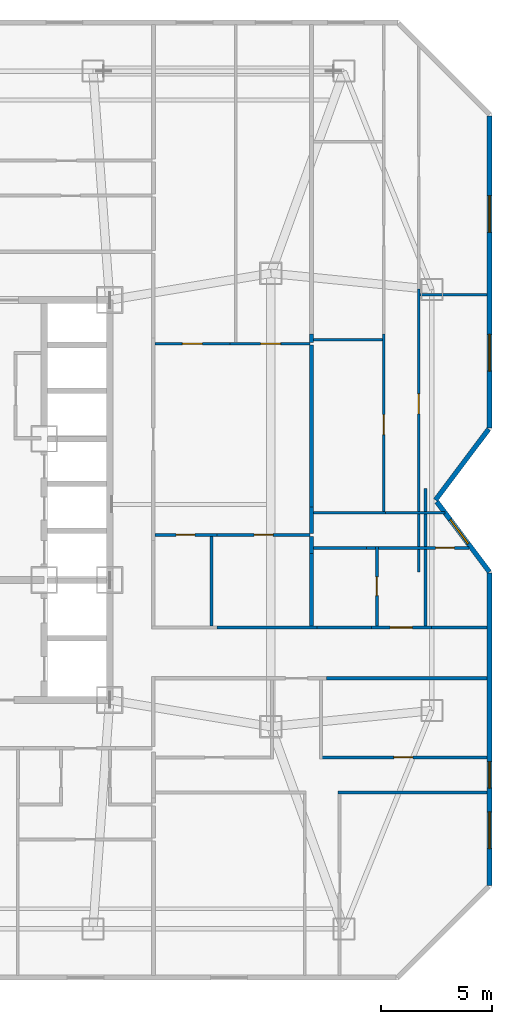
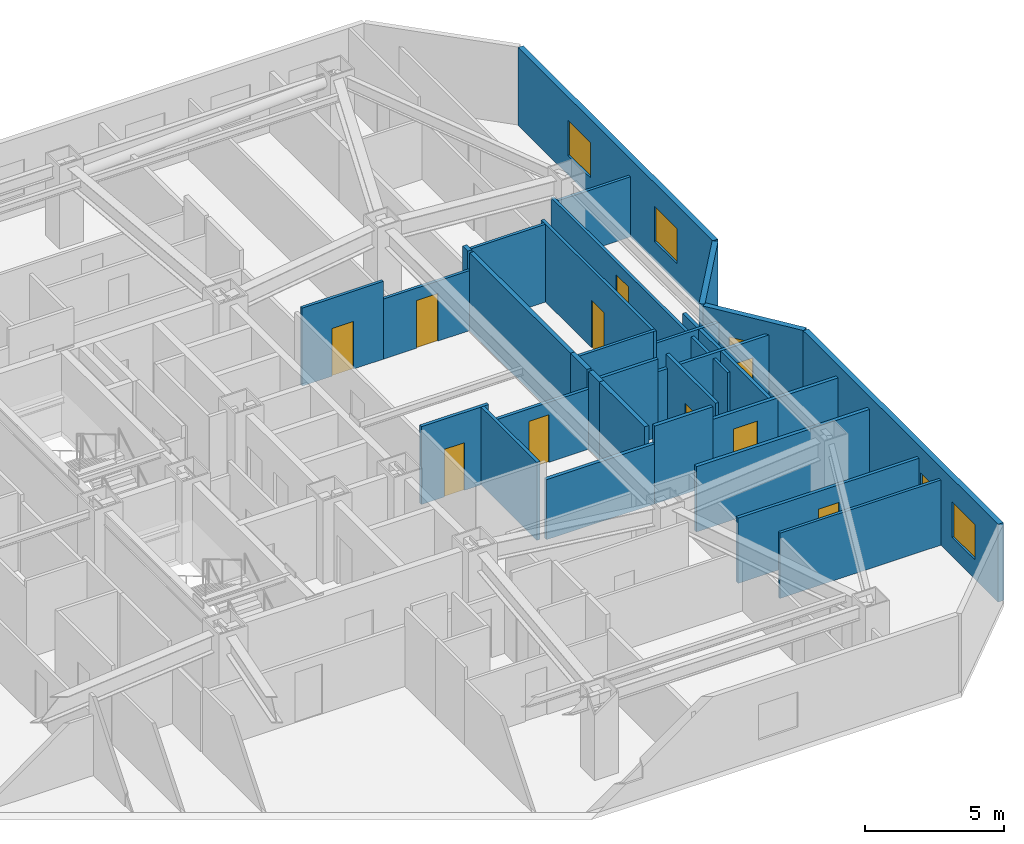
# One storey, part 9 of 12: 31 walls, 10 doors, 5 windows, 15 openings.
"""IFC4 building model written with IfcOpenShell, lengths in metres."""

from ifc_helpers import new_model, si_unit, direction, frame, frame_2d, origin, place, context, subcontext, project, spatial, rectangle, extrude, material, layer, layer_set, type_object, element, fill, save


model = new_model("IFC4")

# Units and contexts
model_context = context("Model", 3, precision=1e-05, world=origin(), true_north=direction((0.0, 1.0)))
body_context = subcontext(model_context, "Body", "Model", "MODEL_VIEW")
ifc_project = project(units=[si_unit("LENGTHUNIT", "METRE"), si_unit("AREAUNIT", "SQUARE_METRE"), si_unit("VOLUMEUNIT", "CUBIC_METRE"), si_unit("PLANEANGLEUNIT", "RADIAN"), si_unit("MASSUNIT", "GRAM", prefix="KILO")], contexts=[model_context])

# Site, building, storey
site_placement = place(None, origin())
site = spatial("IfcSite", under=ifc_project, at=site_placement, CompositionType="ELEMENT")
building_placement = place(site_placement, origin())
building = spatial("IfcBuilding", under=site, at=building_placement, Name="Khamvora Tower", CompositionType="ELEMENT")
storey_placement = place(building_placement, frame((0.0, 0.0, 127.449951171875)))
storey = spatial("IfcBuildingStorey", under=building, at=storey_placement, Name="L32", CompositionType="ELEMENT", Elevation=127.449951171875)

# Walls
ifc_material_1 = material(Name="Fire-Rated Drywall and Steel Stud", Category="steel")
ifc_layer_1 = layer(ifc_material_1, 0.14990234375)
ifc_layer_set_1 = layer_set([ifc_layer_1], Name="Fire-Rated Drywall and Steel Stud")
wall_type_1 = type_object("IfcWallType", Name="WAL-CORR-150", PredefinedType="STANDARD", material=ifc_layer_set_1)
wall_1_placement = place(storey_placement, frame((56.387939453125, 19.985107421875, 0.0), z_axis=(0.0, 0.0, 1.0), x_axis=(-1.0, 0.0, 0.0)))
element("IfcWall", 1, at=wall_1_placement, inside=storey, type_object=wall_type_1, Name="L32 interior partition wall 036", PredefinedType="STANDARD", context=body_context, shape_type="SweptSolid", body=[
    extrude(rectangle(XDim=7.22900390625, YDim=0.14990234375, at=frame_2d((3.614501953125, 0.0))), origin(), (0.0, 0.0, 1.0), 2.8759765625),
])
wall_2_placement = place(storey_placement, frame((44.22900390625, 22.264892578125, 0.0), z_axis=(0.0, 0.0, 1.0), x_axis=(1.0, 0.0, 0.0)))
element("IfcWall", 2, at=wall_2_placement, inside=storey, type_object=wall_type_1, Name="L32 interior partition wall 040", PredefinedType="STANDARD", context=body_context, shape_type="SweptSolid", body=[
    extrude(rectangle(XDim=4.510009765625, YDim=0.14990234375, at=frame_2d((2.2548828125, 0.0))), origin(), (0.0, 0.0, 1.0), 2.64697265625),
])

# Wall, opening, door
wall_3_placement = place(storey_placement, frame((51.173095703125, 22.264892578125, 0.0), z_axis=(0.0, 0.0, 1.0), x_axis=(1.0, 0.0, 0.0)))
wall_3 = element("IfcWall", 3, at=wall_3_placement, inside=storey, type_object=wall_type_1, Name="L32 interior partition wall 042", PredefinedType="STANDARD", context=body_context, shape_type="SweptSolid", body=[
    extrude(rectangle(XDim=2.698974609375, YDim=0.14990234375, at=frame_2d((1.349609375, 0.0))), origin(), (0.0, 0.0, 1.0), 2.8759765625),
])
opening_1_placement = place(wall_3_placement, frame((0.84912109375, 0.0, 0.0)))
opening_1 = element("IfcOpeningElement", 4, at=opening_1_placement, cuts=wall_3, Name="Opening D-U1", PredefinedType="OPENING", context=body_context, shape_type="SweptSolid", body=[
    extrude(rectangle(XDim=1.0, YDim=2.14990234375, at=frame_2d((0.5, 1.074951171875))), frame((0.0, 0.0849609375, 0.0), z_axis=(0.0, -1.0, 0.0), x_axis=(1.0, 0.0, 0.0)), (0.0, 0.0, 1.0), 0.169921875),
])
ifc_material_2 = material(Name="Powder-Coated Steel and Hardwood Leaf", Category="steel")
door_type_1 = type_object("IfcDoorType", Name="DOR-UNIT-1000", OperationType="NOTDEFINED", PredefinedType="DOOR", material=ifc_material_2)
door_1_placement = place(opening_1_placement, origin())
door_1 = element("IfcDoor", 5, at=door_1_placement, inside=storey, type_object=door_type_1, Name="L32 interior door COR-32ECH", OperationType="SINGLE_SWING_RIGHT", OverallHeight=2.14990234375, OverallWidth=1.0, PredefinedType="DOOR", context=body_context, shape_type="SweptSolid", body=[
    extrude(rectangle(XDim=1.0, YDim=2.14990234375, at=frame_2d((0.5, 1.074951171875))), frame((0.0, 0.02490234375, 0.0), z_axis=(0.0, -1.0, 0.0), x_axis=(1.0, 0.0, 0.0)), (0.0, 0.0, 1.0), 0.050048828125),
])
fill(opening_1, door_1)

# Walls
wall_4_placement = place(storey_placement, frame((53.8720703125, 22.264892578125, 0.0), z_axis=(0.0, 0.0, 1.0), x_axis=(1.0, 0.0, 0.0)))
element("IfcWall", 6, at=wall_4_placement, inside=storey, type_object=wall_type_1, Name="L32 interior partition wall 043", PredefinedType="STANDARD", context=body_context, shape_type="SweptSolid", body=[
    extrude(rectangle(XDim=2.515869140625, YDim=0.14990234375, at=frame_2d((1.2578125, 0.0))), origin(), (0.0, 0.0, 1.0), 2.8759765625),
])
wall_5_placement = place(storey_placement, frame((48.739013671875, 22.264892578125, 0.0), z_axis=(0.0, 0.0, 1.0), x_axis=(1.0, 0.0, 0.0)))
element("IfcWall", 7, at=wall_5_placement, inside=storey, type_object=wall_type_1, Name="L32 interior partition wall 044", PredefinedType="STANDARD", context=body_context, shape_type="SweptSolid", body=[
    extrude(rectangle(XDim=2.43408203125, YDim=0.14990234375, at=frame_2d((1.217041015625, 0.0))), origin(), (0.0, 0.0, 1.0), 3.429931640625),
])
ifc_material_3 = material(Name="Acoustic Double-Stud Fire Wall", Category="gypsum")
ifc_layer_2 = layer(ifc_material_3, 0.179931640625)
ifc_layer_set_2 = layer_set([ifc_layer_2], Name="Acoustic Double-Stud Fire Wall")
wall_type_2 = type_object("IfcWallType", Name="WAL-CORR-180", PredefinedType="STANDARD", material=ifc_layer_set_2)
wall_6_placement = place(storey_placement, frame((48.489990234375, 27.674072265625, 0.0), z_axis=(0.0, 0.0, 1.0), x_axis=(0.0, -1.0, 0.0)))
element("IfcWall", 8, at=wall_6_placement, inside=storey, type_object=wall_type_2, Name="L32 interior partition wall 143", PredefinedType="STANDARD", context=body_context, shape_type="SweptSolid", body=[
    extrude(rectangle(XDim=1.178955078125, YDim=0.179931640625, at=frame_2d((0.58935546875, 0.0))), origin(), (0.0, 0.0, 1.0), 3.429931640625),
])
wall_7_placement = place(storey_placement, frame((48.489990234375, 34.965087890625, 0.0), z_axis=(0.0, 0.0, 1.0), x_axis=(0.0, -1.0, 0.0)))
element("IfcWall", 9, at=wall_7_placement, inside=storey, type_object=wall_type_2, Name="L32 interior partition wall 144", PredefinedType="STANDARD", context=body_context, shape_type="SweptSolid", body=[
    extrude(rectangle(XDim=7.291015625, YDim=0.179931640625, at=frame_2d((3.6455078125, 0.0))), origin(), (0.0, 0.0, 1.0), 3.429931640625),
])
wall_8_placement = place(storey_placement, frame((48.489990234375, 35.466064453125, 0.0), z_axis=(0.0, 0.0, 1.0), x_axis=(0.0, -1.0, 0.0)))
element("IfcWall", 10, at=wall_8_placement, inside=storey, type_object=wall_type_2, Name="L32 interior partition wall 146", PredefinedType="STANDARD", context=body_context, shape_type="SweptSolid", body=[
    extrude(rectangle(XDim=0.37109375, YDim=0.179931640625, at=frame_2d((0.185546875, 0.0))), origin(), (0.0, 0.0, 1.0), 3.429931640625),
])
wall_9_placement = place(storey_placement, frame((48.489990234375, 26.364990234375, 0.0), z_axis=(0.0, 0.0, 1.0), x_axis=(0.0, -1.0, 0.0)))
element("IfcWall", 11, at=wall_9_placement, inside=storey, type_object=wall_type_2, Name="L32 interior partition wall 150", PredefinedType="STANDARD", context=body_context, shape_type="SweptSolid", body=[
    extrude(rectangle(XDim=0.76904296875, YDim=0.179931640625, at=frame_2d((0.384521484375, 0.0))), origin(), (0.0, 0.0, 1.0), 3.429931640625),
])
wall_10_placement = place(storey_placement, frame((48.489990234375, 25.595947265625, 0.0), z_axis=(0.0, 0.0, 1.0), x_axis=(0.0, -1.0, 0.0)))
element("IfcWall", 12, at=wall_10_placement, inside=storey, type_object=wall_type_2, Name="L32 interior partition wall 151", PredefinedType="STANDARD", context=body_context, shape_type="SweptSolid", body=[
    extrude(rectangle(XDim=3.263916015625, YDim=0.179931640625, at=frame_2d((1.6318359375, 0.0))), origin(), (0.0, 0.0, 1.0), 3.429931640625),
])

# Wall, openings, windows
ifc_material_4 = material(Name="Precast concrete C40/50", Category="concrete")
ifc_layer_3 = layer(ifc_material_4, 0.219970703125)
ifc_layer_set_3 = layer_set([ifc_layer_3], Name="Precast concrete C40/50")
wall_type_3 = type_object("IfcWallType", Name="WAL-EXT-220", PredefinedType="STANDARD", material=ifc_layer_set_3)
wall_11_placement = place(storey_placement, frame((56.489990234375, 45.282958984375, 0.0), z_axis=(0.0, 0.0, 1.0), x_axis=(0.0, -1.0, 0.0)))
wall_11 = element("IfcWall", 13, at=wall_11_placement, inside=storey, type_object=wall_type_3, Name="L32 exterior facade wall 09.1", PredefinedType="STANDARD", context=body_context, shape_type="SweptSolid", body=[
    extrude(rectangle(XDim=14.0458984375, YDim=0.219970703125, at=frame_2d((7.02294921875, 0.0))), origin(), (0.0, 0.0, 1.0), 3.429931640625),
])
opening_2_placement = place(wall_11_placement, frame((9.8291015625, 0.0, 0.85009765625)))
opening_2 = element("IfcOpeningElement", 14, at=opening_2_placement, cuts=wall_11, Name="Opening WN-06", PredefinedType="OPENING", context=body_context, shape_type="SweptSolid", body=[
    extrude(rectangle(XDim=1.64990234375, YDim=1.550048828125, at=frame_2d((0.824951171875, 0.77490234375))), frame((0.0, 0.119873046875, 0.0), z_axis=(0.0, -1.0, 0.0), x_axis=(1.0, 0.0, 0.0)), (0.0, 0.0, 1.0), 0.239990234375),
])
opening_3_placement = place(wall_11_placement, frame((3.591064453125, 0.0, 0.85009765625)))
opening_3 = element("IfcOpeningElement", 15, at=opening_3_placement, cuts=wall_11, Name="Opening WN-06", PredefinedType="OPENING", context=body_context, shape_type="SweptSolid", body=[
    extrude(rectangle(XDim=1.64990234375, YDim=1.550048828125, at=frame_2d((0.824951171875, 0.77490234375))), frame((0.0, 0.119873046875, 0.0), z_axis=(0.0, -1.0, 0.0), x_axis=(1.0, 0.0, 0.0)), (0.0, 0.0, 1.0), 0.239990234375),
])
ifc_material_5 = material(Name="Low-E Laminated Double Glazing", Category="glass")
window_type_1 = type_object("IfcWindowType", Name="WIN-VIS-1650x1550", PartitioningType="SINGLE_PANEL", PredefinedType="WINDOW", material=ifc_material_5)
window_1_placement = place(opening_2_placement, origin())
window_1 = element("IfcWindow", 16, at=window_1_placement, inside=storey, type_object=window_type_1, Name="L32 vision window 09.1.01", OverallHeight=1.550048828125, OverallWidth=1.64990234375, PartitioningType="SINGLE_PANEL", PredefinedType="WINDOW", context=body_context, shape_type="SweptSolid", body=[
    extrude(rectangle(XDim=1.64990234375, YDim=1.550048828125, at=frame_2d((0.824951171875, 0.77490234375))), frame((0.0, 0.030029296875, 0.0), z_axis=(0.0, -1.0, 0.0), x_axis=(1.0, 0.0, 0.0)), (0.0, 0.0, 1.0), 0.06005859375),
])
fill(opening_2, window_1)
window_2_placement = place(opening_3_placement, origin())
window_2 = element("IfcWindow", 17, at=window_2_placement, inside=storey, type_object=window_type_1, Name="L32 vision window 09.1.02", OverallHeight=1.550048828125, OverallWidth=1.64990234375, PartitioningType="SINGLE_PANEL", PredefinedType="WINDOW", context=body_context, shape_type="SweptSolid", body=[
    extrude(rectangle(XDim=1.64990234375, YDim=1.550048828125, at=frame_2d((0.824951171875, 0.77490234375))), frame((0.0, 0.030029296875, 0.0), z_axis=(0.0, -1.0, 0.0), x_axis=(1.0, 0.0, 0.0)), (0.0, 0.0, 1.0), 0.06005859375),
])
fill(opening_3, window_2)

# Wall
wall_12_placement = place(storey_placement, frame((56.4560546875, 31.19091796875, 0.0), z_axis=(0.0, 0.0, 1.0), x_axis=(-0.600137081448, -0.799897170561, 0.0)))
element("IfcWall", 18, at=wall_12_placement, inside=storey, type_object=wall_type_3, Name="L32 exterior facade wall 10.1", PredefinedType="STANDARD", context=body_context, shape_type="SweptSolid", body=[
    extrude(rectangle(XDim=3.9892578125, YDim=0.219970703125, at=frame_2d((1.99462890625, 0.0))), origin(), (0.0, 0.0, 1.0), 3.429931640625),
])

# Wall, opening, window
wall_13_placement = place(storey_placement, frame((54.118896484375, 27.924072265625, 0.0), z_axis=(0.0, 0.0, 1.0), x_axis=(0.600039540588, -0.799970343032, 0.0)))
wall_13 = element("IfcWall", 19, at=wall_13_placement, inside=storey, type_object=wall_type_3, Name="L32 exterior facade wall 11.1", PredefinedType="STANDARD", context=body_context, shape_type="SweptSolid", body=[
    extrude(rectangle(XDim=3.95166015625, YDim=0.219970703125, at=frame_2d((1.975830078125, 0.0))), origin(), (0.0, 0.0, 1.0), 3.429931640625),
])
opening_4_placement = place(wall_13_placement, frame((1.008056640625, 0.0, 0.85009765625)))
opening_4 = element("IfcOpeningElement", 20, at=opening_4_placement, cuts=wall_13, Name="Opening WN-07", PredefinedType="OPENING", context=body_context, shape_type="SweptSolid", body=[
    extrude(rectangle(XDim=1.35009765625, YDim=1.5, at=frame_2d((0.675048828125, 0.75))), frame((0.0, 0.119873046875, 0.0), z_axis=(0.0, -1.0, 0.0), x_axis=(1.0, 0.0, 0.0)), (0.0, 0.0, 1.0), 0.239990234375),
])
window_type_2 = type_object("IfcWindowType", Name="WIN-VIS-1350x1500", PartitioningType="SINGLE_PANEL", PredefinedType="WINDOW", material=ifc_material_5)
window_3_placement = place(opening_4_placement, origin())
window_3 = element("IfcWindow", 21, at=window_3_placement, inside=storey, type_object=window_type_2, Name="L32 vision window 11.1.01", OverallHeight=1.5, OverallWidth=1.35009765625, PartitioningType="SINGLE_PANEL", PredefinedType="WINDOW", context=body_context, shape_type="SweptSolid", body=[
    extrude(rectangle(XDim=1.35009765625, YDim=1.5, at=frame_2d((0.675048828125, 0.75))), frame((0.0, 0.030029296875, 0.0), z_axis=(0.0, -1.0, 0.0), x_axis=(1.0, 0.0, 0.0)), (0.0, 0.0, 1.0), 0.06005859375),
])
fill(opening_4, window_3)

# Wall, openings, windows
wall_14_placement = place(storey_placement, frame((56.489990234375, 24.70703125, 0.0), z_axis=(0.0, 0.0, 1.0), x_axis=(0.0, -1.0, 0.0)))
wall_14 = element("IfcWall", 22, at=wall_14_placement, inside=storey, type_object=wall_type_3, Name="L32 exterior facade wall 12.1", PredefinedType="STANDARD", context=body_context, shape_type="SweptSolid", body=[
    extrude(rectangle(XDim=14.06103515625, YDim=0.219970703125, at=frame_2d((7.030517578125, 0.0))), origin(), (0.0, 0.0, 1.0), 3.429931640625),
])
opening_5_placement = place(wall_14_placement, frame((8.47607421875, 0.0, 0.800048828125)))
opening_5 = element("IfcOpeningElement", 23, at=opening_5_placement, cuts=wall_14, Name="Opening WN-03", PredefinedType="OPENING", context=body_context, shape_type="SweptSolid", body=[
    extrude(rectangle(XDim=1.199951171875, YDim=1.5, at=frame_2d((0.60009765625, 0.75))), frame((0.0, 0.119873046875, 0.0), z_axis=(0.0, -1.0, 0.0), x_axis=(1.0, 0.0, 0.0)), (0.0, 0.0, 1.0), 0.239990234375),
])
opening_6_placement = place(wall_14_placement, frame((10.74609375, 0.0, 0.85009765625)))
opening_6 = element("IfcOpeningElement", 24, at=opening_6_placement, cuts=wall_14, Name="Opening WN-06", PredefinedType="OPENING", context=body_context, shape_type="SweptSolid", body=[
    extrude(rectangle(XDim=1.64990234375, YDim=1.550048828125, at=frame_2d((0.824951171875, 0.77490234375))), frame((0.0, 0.119873046875, 0.0), z_axis=(0.0, -1.0, 0.0), x_axis=(1.0, 0.0, 0.0)), (0.0, 0.0, 1.0), 0.239990234375),
])
window_type_3 = type_object("IfcWindowType", Name="WIN-VIS-1200x1500", PartitioningType="SINGLE_PANEL", PredefinedType="WINDOW", material=ifc_material_5)
window_4_placement = place(opening_5_placement, origin())
window_4 = element("IfcWindow", 25, at=window_4_placement, inside=storey, type_object=window_type_3, Name="L32 vision window 12.1.01", OverallHeight=1.5, OverallWidth=1.199951171875, PartitioningType="SINGLE_PANEL", PredefinedType="WINDOW", context=body_context, shape_type="SweptSolid", body=[
    extrude(rectangle(XDim=1.199951171875, YDim=1.5, at=frame_2d((0.60009765625, 0.75))), frame((0.0, 0.030029296875, 0.0), z_axis=(0.0, -1.0, 0.0), x_axis=(1.0, 0.0, 0.0)), (0.0, 0.0, 1.0), 0.06005859375),
])
fill(opening_5, window_4)
window_5_placement = place(opening_6_placement, origin())
window_5 = element("IfcWindow", 26, at=window_5_placement, inside=storey, type_object=window_type_1, Name="L32 vision window 12.1.02", OverallHeight=1.550048828125, OverallWidth=1.64990234375, PartitioningType="SINGLE_PANEL", PredefinedType="WINDOW", context=body_context, shape_type="SweptSolid", body=[
    extrude(rectangle(XDim=1.64990234375, YDim=1.550048828125, at=frame_2d((0.824951171875, 0.77490234375))), frame((0.0, 0.030029296875, 0.0), z_axis=(0.0, -1.0, 0.0), x_axis=(1.0, 0.0, 0.0)), (0.0, 0.0, 1.0), 0.06005859375),
])
fill(opening_6, window_5)

# Wall
ifc_material_6 = material(Name="Gypsum Plasterboard Partition", Category="gypsum")
ifc_layer_4 = layer(ifc_material_6, 0.1201171875)
ifc_layer_set_4 = layer_set([ifc_layer_4], Name="Gypsum Plasterboard Partition")
wall_type_4 = type_object("IfcWallType", Name="WAL-PART-120", PredefinedType="PARTITIONING", material=ifc_layer_set_4)
wall_15_placement = place(storey_placement, frame((56.387939453125, 14.841064453125, 0.0), z_axis=(0.0, 0.0, 1.0), x_axis=(-1.0, 0.0, 0.0)))
element("IfcWall", 27, at=wall_15_placement, inside=storey, type_object=wall_type_4, Name="L32 interior partition wall 137", PredefinedType="PARTITIONING", context=body_context, shape_type="SweptSolid", body=[
    extrude(rectangle(XDim=6.7080078125, YDim=0.1201171875, at=frame_2d((3.35400390625, 0.0))), origin(), (0.0, 0.0, 1.0), 2.8759765625),
])

# Wall, opening, door
wall_16_placement = place(storey_placement, frame((44.818115234375, 35.030029296875, 0.0), z_axis=(0.0, 0.0, 1.0), x_axis=(1.0, 0.0, 0.0)))
wall_16 = element("IfcWall", 28, at=wall_16_placement, inside=storey, type_object=wall_type_4, Name="L32 interior partition wall 139", PredefinedType="PARTITIONING", context=body_context, shape_type="SweptSolid", body=[
    extrude(rectangle(XDim=3.60693359375, YDim=0.1201171875, at=frame_2d((1.803466796875, 0.0))), origin(), (0.0, 0.0, 1.0), 2.64697265625),
])
opening_7_placement = place(wall_16_placement, frame((1.375, 0.0, 0.0)))
opening_7 = element("IfcOpeningElement", 29, at=opening_7_placement, cuts=wall_16, Name="Opening D-RM1", PredefinedType="OPENING", context=body_context, shape_type="SweptSolid", body=[
    extrude(rectangle(XDim=0.89990234375, YDim=2.10009765625, at=frame_2d((0.449951171875, 1.050048828125))), frame((0.0, 0.070068359375, 0.0), z_axis=(0.0, -1.0, 0.0), x_axis=(1.0, 0.0, 0.0)), (0.0, 0.0, 1.0), 0.14013671875),
])
door_type_2 = type_object("IfcDoorType", Name="DOR-ROOM-900", OperationType="NOTDEFINED", PredefinedType="DOOR", material=ifc_material_2)
door_2_placement = place(opening_7_placement, origin())
door_2 = element("IfcDoor", 30, at=door_2_placement, inside=storey, type_object=door_type_2, Name="L32 interior door 32EBH-32EBR2", OperationType="SINGLE_SWING_LEFT", OverallHeight=2.10009765625, OverallWidth=0.89990234375, PredefinedType="DOOR", context=body_context, shape_type="SweptSolid", body=[
    extrude(rectangle(XDim=0.89990234375, YDim=2.10009765625, at=frame_2d((0.449951171875, 1.050048828125))), frame((0.0, 0.02490234375, 0.0), z_axis=(0.0, -1.0, 0.0), x_axis=(1.0, 0.0, 0.0)), (0.0, 0.0, 1.0), 0.050048828125),
])
fill(opening_7, door_2)

wall_17_placement = place(storey_placement, frame((41.431884765625, 35.030029296875, 0.0), z_axis=(0.0, 0.0, 1.0), x_axis=(1.0, 0.0, 0.0)))
wall_17 = element("IfcWall", 31, at=wall_17_placement, inside=storey, type_object=wall_type_4, Name="L32 interior partition wall 142", PredefinedType="PARTITIONING", context=body_context, shape_type="SweptSolid", body=[
    extrude(rectangle(XDim=3.38623046875, YDim=0.1201171875, at=frame_2d((1.693115234375, 0.0))), origin(), (0.0, 0.0, 1.0), 3.429931640625),
])
opening_8_placement = place(wall_17_placement, frame((1.242919921875, 0.0, 0.0)))
opening_8 = element("IfcOpeningElement", 32, at=opening_8_placement, cuts=wall_17, Name="Opening D-RM1", PredefinedType="OPENING", context=body_context, shape_type="SweptSolid", body=[
    extrude(rectangle(XDim=0.89990234375, YDim=2.10009765625, at=frame_2d((0.449951171875, 1.050048828125))), frame((0.0, 0.070068359375, 0.0), z_axis=(0.0, -1.0, 0.0), x_axis=(1.0, 0.0, 0.0)), (0.0, 0.0, 1.0), 0.14013671875),
])
door_3_placement = place(opening_8_placement, origin())
door_3 = element("IfcDoor", 33, at=door_3_placement, inside=storey, type_object=door_type_2, Name="L32 interior door 32EBH-32EBR1", OperationType="SINGLE_SWING_RIGHT", OverallHeight=2.10009765625, OverallWidth=0.89990234375, PredefinedType="DOOR", context=body_context, shape_type="SweptSolid", body=[
    extrude(rectangle(XDim=0.89990234375, YDim=2.10009765625, at=frame_2d((0.449951171875, 1.050048828125))), frame((0.0, 0.02490234375, 0.0), z_axis=(0.0, -1.0, 0.0), x_axis=(1.0, 0.0, 0.0)), (0.0, 0.0, 1.0), 0.050048828125),
])
fill(opening_8, door_3)

# Wall
wall_18_placement = place(storey_placement, frame((48.572021484375, 27.425048828125, 0.0), z_axis=(0.0, 0.0, 1.0), x_axis=(1.0, 0.0, 0.0)))
element("IfcWall", 34, at=wall_18_placement, inside=storey, type_object=wall_type_4, Name="L32 interior partition wall 156", PredefinedType="PARTITIONING", context=body_context, shape_type="SweptSolid", body=[
    extrude(rectangle(XDim=3.23095703125, YDim=0.1201171875, at=frame_2d((1.615478515625, 0.0))), origin(), (0.0, 0.0, 1.0), 3.429931640625),
])

# Wall, opening, door
wall_19_placement = place(storey_placement, frame((51.738037109375, 27.360107421875, 0.0), z_axis=(0.0, 0.0, 1.0), x_axis=(0.0, 1.0, 0.0)))
wall_19 = element("IfcWall", 35, at=wall_19_placement, inside=storey, type_object=wall_type_4, Name="L32 interior partition wall 157", PredefinedType="PARTITIONING", context=body_context, shape_type="SweptSolid", body=[
    extrude(rectangle(XDim=8.10595703125, YDim=0.1201171875, at=frame_2d((4.052978515625, 0.0))), origin(), (0.0, 0.0, 1.0), 3.429931640625),
])
opening_9_placement = place(wall_19_placement, frame((3.58203125, 0.0, 0.0)))
opening_9 = element("IfcOpeningElement", 36, at=opening_9_placement, cuts=wall_19, Name="Opening D-RM1", PredefinedType="OPENING", context=body_context, shape_type="SweptSolid", body=[
    extrude(rectangle(XDim=0.89990234375, YDim=2.10009765625, at=frame_2d((0.449951171875, 1.050048828125))), frame((0.0, 0.070068359375, 0.0), z_axis=(0.0, -1.0, 0.0), x_axis=(1.0, 0.0, 0.0)), (0.0, 0.0, 1.0), 0.14013671875),
])
door_4_placement = place(opening_9_placement, origin())
door_4 = element("IfcDoor", 37, at=door_4_placement, inside=storey, type_object=door_type_2, Name="L32 interior door 32ECH-32ECL", OperationType="SINGLE_SWING_LEFT", OverallHeight=2.10009765625, OverallWidth=0.89990234375, PredefinedType="DOOR", context=body_context, shape_type="SweptSolid", body=[
    extrude(rectangle(XDim=0.89990234375, YDim=2.10009765625, at=frame_2d((0.449951171875, 1.050048828125))), frame((0.0, 0.02490234375, 0.0), z_axis=(0.0, -1.0, 0.0), x_axis=(1.0, 0.0, 0.0)), (0.0, 0.0, 1.0), 0.050048828125),
])
fill(opening_9, door_4)

# Wall
wall_20_placement = place(storey_placement, frame((51.802978515625, 27.425048828125, 0.0), z_axis=(0.0, 0.0, 1.0), x_axis=(1.0, 0.0, 0.0)))
element("IfcWall", 38, at=wall_20_placement, inside=storey, type_object=wall_type_4, Name="L32 interior partition wall 160", PredefinedType="PARTITIONING", context=body_context, shape_type="SweptSolid", body=[
    extrude(rectangle(XDim=2.677978515625, YDim=0.1201171875, at=frame_2d((1.3388671875, 0.0))), origin(), (0.0, 0.0, 1.0), 2.8759765625),
])

# Wall, opening, door
wall_21_placement = place(storey_placement, frame((53.306884765625, 37.486083984375, 0.0), z_axis=(0.0, 0.0, 1.0), x_axis=(0.0, -1.0, 0.0)))
wall_21 = element("IfcWall", 39, at=wall_21_placement, inside=storey, type_object=wall_type_4, Name="L32 interior partition wall 161", PredefinedType="PARTITIONING", context=body_context, shape_type="SweptSolid", body=[
    extrude(rectangle(XDim=12.72607421875, YDim=0.1201171875, at=frame_2d((6.363037109375, 0.0))), origin(), (0.0, 0.0, 1.0), 2.64697265625),
])
opening_10_placement = place(wall_21_placement, frame((4.705078125, 0.0, 0.0)))
opening_10 = element("IfcOpeningElement", 40, at=opening_10_placement, cuts=wall_21, Name="Opening D-RM1", PredefinedType="OPENING", context=body_context, shape_type="SweptSolid", body=[
    extrude(rectangle(XDim=0.89990234375, YDim=2.10009765625, at=frame_2d((0.449951171875, 1.050048828125))), frame((0.0, 0.070068359375, 0.0), z_axis=(0.0, -1.0, 0.0), x_axis=(1.0, 0.0, 0.0)), (0.0, 0.0, 1.0), 0.14013671875),
])
door_5_placement = place(opening_10_placement, origin())
door_5 = element("IfcDoor", 41, at=door_5_placement, inside=storey, type_object=door_type_2, Name="L32 interior door 32ECH-32ECR4", OperationType="SINGLE_SWING_LEFT", OverallHeight=2.10009765625, OverallWidth=0.89990234375, PredefinedType="DOOR", context=body_context, shape_type="SweptSolid", body=[
    extrude(rectangle(XDim=0.89990234375, YDim=2.10009765625, at=frame_2d((0.449951171875, 1.050048828125))), frame((0.0, 0.02490234375, 0.0), z_axis=(0.0, -1.0, 0.0), x_axis=(1.0, 0.0, 0.0)), (0.0, 0.0, 1.0), 0.050048828125),
])
fill(opening_10, door_5)

# Walls
wall_22_placement = place(storey_placement, frame((48.572021484375, 35.217041015625, 0.0), z_axis=(0.0, 0.0, 1.0), x_axis=(1.0, 0.0, 0.0)))
element("IfcWall", 42, at=wall_22_placement, inside=storey, type_object=wall_type_4, Name="L32 interior partition wall 163", PredefinedType="PARTITIONING", context=body_context, shape_type="SweptSolid", body=[
    extrude(rectangle(XDim=3.112060546875, YDim=0.1201171875, at=frame_2d((1.55615234375, 0.0))), origin(), (0.0, 0.0, 1.0), 3.429931640625),
])
wall_23_placement = place(storey_placement, frame((53.361083984375, 37.236083984375, 0.0), z_axis=(0.0, 0.0, 1.0), x_axis=(1.0, 0.0, 0.0)))
element("IfcWall", 43, at=wall_23_placement, inside=storey, type_object=wall_type_4, Name="L32 interior partition wall 165", PredefinedType="PARTITIONING", context=body_context, shape_type="SweptSolid", body=[
    extrude(rectangle(XDim=3.02685546875, YDim=0.1201171875, at=frame_2d((1.513427734375, 0.0))), origin(), (0.0, 0.0, 1.0), 2.64697265625),
])

# Wall, opening, door
ifc_material_7 = material(Name="Moisture-Resistant Plasterboard Partition", Category="gypsum")
ifc_layer_5 = layer(ifc_material_7, 0.135009765625)
ifc_layer_set_5 = layer_set([ifc_layer_5], Name="Moisture-Resistant Plasterboard Partition")
wall_type_5 = type_object("IfcWallType", Name="WAL-WET-135", PredefinedType="PARTITIONING", material=ifc_layer_set_5)
wall_24_placement = place(storey_placement, frame((48.844970703125, 16.4208984375, 0.0), z_axis=(0.0, 0.0, 1.0), x_axis=(1.0, 0.0, 0.0)))
wall_24 = element("IfcWall", 44, at=wall_24_placement, inside=storey, type_object=wall_type_5, Name="L32 interior partition wall 134", PredefinedType="PARTITIONING", context=body_context, shape_type="SweptSolid", body=[
    extrude(rectangle(XDim=7.54296875, YDim=0.135009765625, at=frame_2d((3.771484375, 0.0))), origin(), (0.0, 0.0, 1.0), 2.8759765625),
])
opening_11_placement = place(wall_24_placement, frame((3.346923828125, 0.0, 0.0)))
opening_11 = element("IfcOpeningElement", 45, at=opening_11_placement, cuts=wall_24, Name="Opening D-RM2", PredefinedType="OPENING", context=body_context, shape_type="SweptSolid", body=[
    extrude(rectangle(XDim=0.85009765625, YDim=2.10009765625, at=frame_2d((0.425048828125, 1.050048828125))), frame((0.0, 0.077392578125, 0.0), z_axis=(0.0, -1.0, 0.0), x_axis=(1.0, 0.0, 0.0)), (0.0, 0.0, 1.0), 0.155029296875),
])
door_type_3 = type_object("IfcDoorType", Name="DOR-ROOM-850", OperationType="NOTDEFINED", PredefinedType="DOOR", material=ifc_material_2)
door_6_placement = place(opening_11_placement, origin())
door_6 = element("IfcDoor", 46, at=door_6_placement, inside=storey, type_object=door_type_3, Name="L32 interior door 32EAH-32EAK", OperationType="SINGLE_SWING_RIGHT", OverallHeight=2.10009765625, OverallWidth=0.85009765625, PredefinedType="DOOR", context=body_context, shape_type="SweptSolid", body=[
    extrude(rectangle(XDim=0.85009765625, YDim=2.10009765625, at=frame_2d((0.425048828125, 1.050048828125))), frame((0.0, 0.02490234375, 0.0), z_axis=(0.0, -1.0, 0.0), x_axis=(1.0, 0.0, 0.0)), (0.0, 0.0, 1.0), 0.050048828125),
])
fill(opening_11, door_6)

wall_25_placement = place(storey_placement, frame((44.22900390625, 26.429931640625, 0.0), z_axis=(0.0, 0.0, 1.0), x_axis=(-1.0, 0.0, 0.0)))
wall_25 = element("IfcWall", 47, at=wall_25_placement, inside=storey, type_object=wall_type_5, Name="L32 interior partition wall 140", PredefinedType="PARTITIONING", context=body_context, shape_type="SweptSolid", body=[
    extrude(rectangle(XDim=2.797119140625, YDim=0.135009765625, at=frame_2d((1.3984375, 0.0))), origin(), (0.0, 0.0, 1.0), 3.429931640625),
])
opening_12_placement = place(wall_25_placement, frame((0.993896484375, 0.0, 0.0)))
opening_12 = element("IfcOpeningElement", 48, at=opening_12_placement, cuts=wall_25, Name="Opening D-WC1", PredefinedType="OPENING", context=body_context, shape_type="SweptSolid", body=[
    extrude(rectangle(XDim=0.85009765625, YDim=2.10009765625, at=frame_2d((0.425048828125, 1.050048828125))), frame((0.0, 0.077392578125, 0.0), z_axis=(0.0, -1.0, 0.0), x_axis=(1.0, 0.0, 0.0)), (0.0, 0.0, 1.0), 0.155029296875),
])
door_type_4 = type_object("IfcDoorType", Name="DOR-WET-850", OperationType="NOTDEFINED", PredefinedType="DOOR", material=ifc_material_2)
door_7_placement = place(opening_12_placement, origin())
door_7 = element("IfcDoor", 49, at=door_7_placement, inside=storey, type_object=door_type_4, Name="L32 interior door 32EBH-32EBB", OperationType="SINGLE_SWING_RIGHT", OverallHeight=2.10009765625, OverallWidth=0.85009765625, PredefinedType="DOOR", context=body_context, shape_type="SweptSolid", body=[
    extrude(rectangle(XDim=0.85009765625, YDim=2.10009765625, at=frame_2d((0.425048828125, 1.050048828125))), frame((0.0, 0.02490234375, 0.0), z_axis=(0.0, -1.0, 0.0), x_axis=(1.0, 0.0, 0.0)), (0.0, 0.0, 1.0), 0.050048828125),
])
fill(opening_12, door_7)

wall_26_placement = place(storey_placement, frame((48.425048828125, 26.429931640625, 0.0), z_axis=(0.0, 0.0, 1.0), x_axis=(-1.0, 0.0, 0.0)))
wall_26 = element("IfcWall", 50, at=wall_26_placement, inside=storey, type_object=wall_type_5, Name="L32 interior partition wall 141", PredefinedType="PARTITIONING", context=body_context, shape_type="SweptSolid", body=[
    extrude(rectangle(XDim=4.196044921875, YDim=0.135009765625, at=frame_2d((2.09814453125, 0.0))), origin(), (0.0, 0.0, 1.0), 2.64697265625),
])
opening_13_placement = place(wall_26_placement, frame((1.673095703125, 0.0, 0.0)))
opening_13 = element("IfcOpeningElement", 51, at=opening_13_placement, cuts=wall_26, Name="Opening D-RM2", PredefinedType="OPENING", context=body_context, shape_type="SweptSolid", body=[
    extrude(rectangle(XDim=0.85009765625, YDim=2.10009765625, at=frame_2d((0.425048828125, 1.050048828125))), frame((0.0, 0.077392578125, 0.0), z_axis=(0.0, -1.0, 0.0), x_axis=(1.0, 0.0, 0.0)), (0.0, 0.0, 1.0), 0.155029296875),
])
door_8_placement = place(opening_13_placement, origin())
door_8 = element("IfcDoor", 52, at=door_8_placement, inside=storey, type_object=door_type_3, Name="L32 interior door 32EBH-32EBK", OperationType="SINGLE_SWING_LEFT", OverallHeight=2.10009765625, OverallWidth=0.85009765625, PredefinedType="DOOR", context=body_context, shape_type="SweptSolid", body=[
    extrude(rectangle(XDim=0.85009765625, YDim=2.10009765625, at=frame_2d((0.425048828125, 1.050048828125))), frame((0.0, 0.02490234375, 0.0), z_axis=(0.0, -1.0, 0.0), x_axis=(1.0, 0.0, 0.0)), (0.0, 0.0, 1.0), 0.050048828125),
])
fill(opening_13, door_8)

# Wall
wall_27_placement = place(storey_placement, frame((43.97998046875, 26.368896484375, 0.0), z_axis=(0.0, 0.0, 1.0), x_axis=(0.0, -1.0, 0.0)))
element("IfcWall", 53, at=wall_27_placement, inside=storey, type_object=wall_type_5, Name="L32 interior partition wall 149", PredefinedType="PARTITIONING", context=body_context, shape_type="SweptSolid", body=[
    extrude(rectangle(XDim=4.036865234375, YDim=0.135009765625, at=frame_2d((2.0185546875, 0.0))), origin(), (0.0, 0.0, 1.0), 3.429931640625),
])

# Wall, opening, door
wall_28_placement = place(storey_placement, frame((55.56689453125, 25.844970703125, 0.0), z_axis=(0.0, 0.0, 1.0), x_axis=(-1.0, 0.0, 0.0)))
wall_28 = element("IfcWall", 54, at=wall_28_placement, inside=storey, type_object=wall_type_5, Name="L32 interior partition wall 152", PredefinedType="PARTITIONING", context=body_context, shape_type="SweptSolid", body=[
    extrude(rectangle(XDim=4.60888671875, YDim=0.135009765625, at=frame_2d((2.304443359375, 0.0))), origin(), (0.0, 0.0, 1.0), 2.8759765625),
])
opening_14_placement = place(wall_28_placement, frame((0.65087890625, 0.0, 0.0)))
opening_14 = element("IfcOpeningElement", 55, at=opening_14_placement, cuts=wall_28, Name="Opening D-WC1", PredefinedType="OPENING", context=body_context, shape_type="SweptSolid", body=[
    extrude(rectangle(XDim=0.85009765625, YDim=2.10009765625, at=frame_2d((0.425048828125, 1.050048828125))), frame((0.0, 0.077392578125, 0.0), z_axis=(0.0, -1.0, 0.0), x_axis=(1.0, 0.0, 0.0)), (0.0, 0.0, 1.0), 0.155029296875),
])
door_9_placement = place(opening_14_placement, origin())
door_9 = element("IfcDoor", 56, at=door_9_placement, inside=storey, type_object=door_type_4, Name="L32 interior door 32ECH-32ECB", OperationType="SINGLE_SWING_LEFT", OverallHeight=2.10009765625, OverallWidth=0.85009765625, PredefinedType="DOOR", context=body_context, shape_type="SweptSolid", body=[
    extrude(rectangle(XDim=0.85009765625, YDim=2.10009765625, at=frame_2d((0.425048828125, 1.050048828125))), frame((0.0, 0.02490234375, 0.0), z_axis=(0.0, -1.0, 0.0), x_axis=(1.0, 0.0, 0.0)), (0.0, 0.0, 1.0), 0.050048828125),
])
fill(opening_14, door_9)

# Wall
wall_29_placement = place(storey_placement, frame((53.623046875, 28.510009765625, 0.0), z_axis=(0.0, 0.0, 1.0), x_axis=(0.0, -1.0, 0.0)))
element("IfcWall", 57, at=wall_29_placement, inside=storey, type_object=wall_type_5, Name="L32 interior partition wall 153", PredefinedType="PARTITIONING", context=body_context, shape_type="SweptSolid", body=[
    extrude(rectangle(XDim=6.177978515625, YDim=0.135009765625, at=frame_2d((3.0888671875, 0.0))), origin(), (0.0, 0.0, 1.0), 2.8759765625),
])

# Wall, opening, door
wall_30_placement = place(storey_placement, frame((51.422119140625, 22.33203125, 0.0), z_axis=(0.0, 0.0, 1.0), x_axis=(0.0, 1.0, 0.0)))
wall_30 = element("IfcWall", 58, at=wall_30_placement, inside=storey, type_object=wall_type_5, Name="L32 interior partition wall 154", PredefinedType="PARTITIONING", context=body_context, shape_type="SweptSolid", body=[
    extrude(rectangle(XDim=3.577880859375, YDim=0.135009765625, at=frame_2d((1.7890625, 0.0))), origin(), (0.0, 0.0, 1.0), 3.429931640625),
])
opening_15_placement = place(wall_30_placement, frame((1.364013671875, 0.0, 0.0)))
opening_15 = element("IfcOpeningElement", 59, at=opening_15_placement, cuts=wall_30, Name="Opening D-RM2", PredefinedType="OPENING", context=body_context, shape_type="SweptSolid", body=[
    extrude(rectangle(XDim=0.85009765625, YDim=2.10009765625, at=frame_2d((0.425048828125, 1.050048828125))), frame((0.0, 0.077392578125, 0.0), z_axis=(0.0, -1.0, 0.0), x_axis=(1.0, 0.0, 0.0)), (0.0, 0.0, 1.0), 0.155029296875),
])
door_10_placement = place(opening_15_placement, origin())
door_10 = element("IfcDoor", 60, at=door_10_placement, inside=storey, type_object=door_type_3, Name="L32 interior door 32ECH-32ECK", OperationType="SINGLE_SWING_RIGHT", OverallHeight=2.10009765625, OverallWidth=0.85009765625, PredefinedType="DOOR", context=body_context, shape_type="SweptSolid", body=[
    extrude(rectangle(XDim=0.85009765625, YDim=2.10009765625, at=frame_2d((0.425048828125, 1.050048828125))), frame((0.0, 0.02490234375, 0.0), z_axis=(0.0, -1.0, 0.0), x_axis=(1.0, 0.0, 0.0)), (0.0, 0.0, 1.0), 0.050048828125),
])
fill(opening_15, door_10)

# Wall
wall_31_placement = place(storey_placement, frame((50.9580078125, 25.844970703125, 0.0), z_axis=(0.0, 0.0, 1.0), x_axis=(-1.0, 0.0, 0.0)))
element("IfcWall", 61, at=wall_31_placement, inside=storey, type_object=wall_type_5, Name="L32 interior partition wall 155", PredefinedType="PARTITIONING", context=body_context, shape_type="SweptSolid", body=[
    extrude(rectangle(XDim=2.385986328125, YDim=0.135009765625, at=frame_2d((1.19287109375, 0.0))), origin(), (0.0, 0.0, 1.0), 3.429931640625),
])

save(model, "model.ifc")
